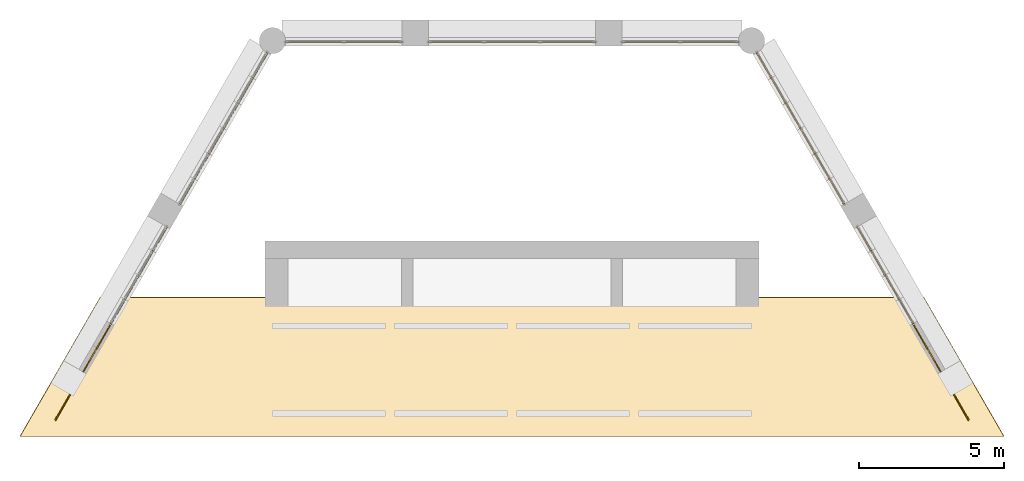
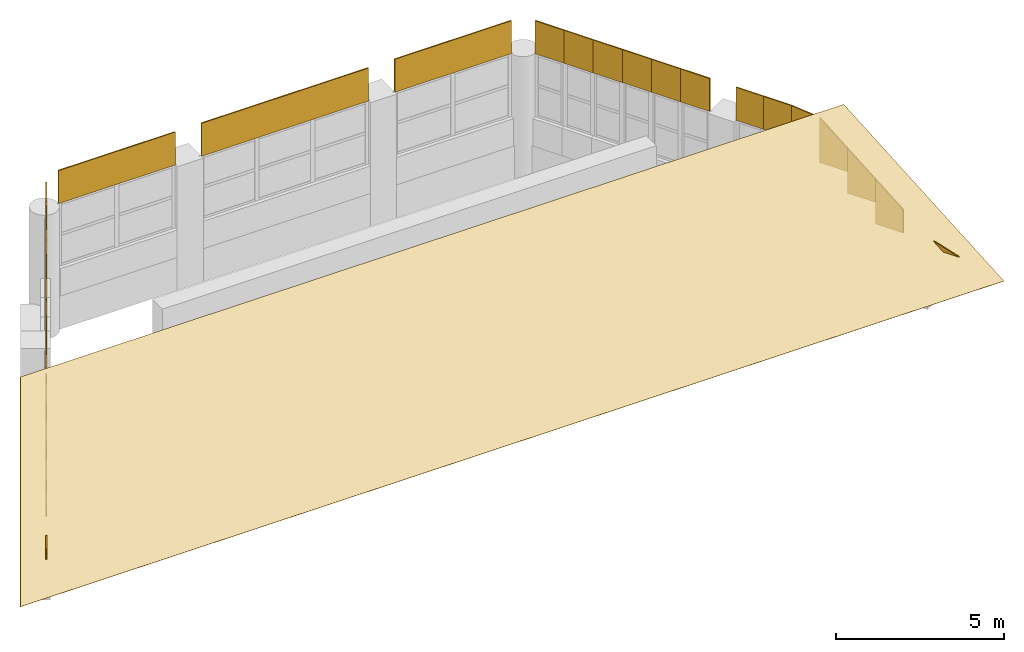
# One storey, part 11 of 11: 30 coverings.
"""IFC4 building model written with IfcOpenShell, lengths in metres."""

from ifc_helpers import new_model, si_unit, direction, frame, origin, place, context, subcontext, project, spatial, polyline, outline, extrude, material, layer, layer_set, type_object, element, save


model = new_model("IFC4")

# Units and contexts
model_context = context("Model", 3, precision=1e-05, world=origin(), true_north=direction((0.0, 1.0)))
body_context = subcontext(model_context, "Body", "Model", "MODEL_VIEW")
ifc_project = project(units=[si_unit("LENGTHUNIT", "METRE"), si_unit("AREAUNIT", "SQUARE_METRE"), si_unit("VOLUMEUNIT", "CUBIC_METRE"), si_unit("PLANEANGLEUNIT", "RADIAN"), si_unit("MASSUNIT", "GRAM", prefix="KILO")], contexts=[model_context])

# Site, building, storey
site_placement = place(None, origin())
site = spatial("IfcSite", under=ifc_project, at=site_placement, CompositionType="ELEMENT")
building_placement = place(site_placement, origin())
building = spatial("IfcBuilding", under=site, at=building_placement, Name="Ostrander Bayou Hotel Tower", CompositionType="ELEMENT")
storey_placement = place(building_placement, frame((0.0, 0.0, 293.0)))
storey = spatial("IfcBuildingStorey", under=building, at=storey_placement, Name="Roof 72", CompositionType="ELEMENT", Elevation=293.0)

# Coverings
ifc_material = material(Name="Reconstituted stone panels", Category="masonry")
ifc_layer = layer(ifc_material, 0.0400390625)
ifc_layer_set = layer_set([ifc_layer], Name="CV3 crown cladding 40 mm")
covering_type = type_object("IfcCoveringType", Name="CV3 crown cladding 40 mm", PredefinedType="CLADDING", material=ifc_layer_set)
covering_1_placement = place(storey_placement, frame((16.927978515625, 2.967041015625, 0.0400390625), z_axis=(0.0, -0.685643125886, 0.727937843449), x_axis=(-1.0, 0.0, 0.0)))
element("IfcCovering", 1, at=covering_1_placement, inside=storey, type_object=covering_type, Name="CV3 crown cladding L72", PredefinedType="CLADDING", context=body_context, shape_type="SweptSolid", body=[
    extrude(outline(polyline([(0.0, 0.0), (33.85595703125, 0.0), (31.097412109375, -6.563181092476927), (2.758544921875, -6.563181092476927), (0.0, 0.0)])), origin(), (0.0, 0.0, -1.0), 0.0400390625),
])
covering_2_placement = place(storey_placement, frame((7.7958984375, 16.550048828125, 3.300048828125), z_axis=(0.0, 1.0, 0.0), x_axis=(-1.0, 0.0, 0.0)))
element("IfcCovering", 2, at=covering_2_placement, inside=storey, type_object=covering_type, Name="CV3 crown fascia L72", PredefinedType="CLADDING", context=body_context, shape_type="SweptSolid", body=[
    extrude(outline(polyline([(0.0, 0.0), (4.0166015625, 0.0), (4.0166015625, 1.199951171875), (0.0, 1.199951171875), (0.0, 0.0)])), origin(), (0.0, 0.0, -1.0), 0.0400390625),
])
covering_3_placement = place(storey_placement, frame((2.87939453125, 16.550048828125, 3.300048828125), z_axis=(0.0, 1.0, 0.0), x_axis=(-1.0, 0.0, 0.0)))
element("IfcCovering", 3, at=covering_3_placement, inside=storey, type_object=covering_type, Name="CV3 crown fascia L72", PredefinedType="CLADDING", context=body_context, shape_type="SweptSolid", body=[
    extrude(outline(polyline([(0.0, 0.0), (5.7587890625, 0.0), (5.7587890625, 1.199951171875), (0.0, 1.199951171875), (0.0, 0.0)])), origin(), (0.0, 0.0, -1.0), 0.0400390625),
])
covering_4_placement = place(storey_placement, frame((-3.779296875, 16.550048828125, 3.300048828125), z_axis=(0.0, 1.0, 0.0), x_axis=(-1.0, 0.0, 0.0)))
element("IfcCovering", 4, at=covering_4_placement, inside=storey, type_object=covering_type, Name="CV3 crown fascia L72", PredefinedType="CLADDING", context=body_context, shape_type="SweptSolid", body=[
    extrude(outline(polyline([(0.0, 0.0), (4.0166015625, 0.0), (4.0166015625, 1.199951171875), (0.0, 1.199951171875), (0.0, 0.0)])), origin(), (0.0, 0.0, -1.0), 0.0400390625),
])
covering_5_placement = place(storey_placement, frame((-8.431884765625, 16.182373046875, 3.300048828125), z_axis=(-0.865942374699, 0.500143783026, 0.0), x_axis=(-0.500143783026, -0.865942374699, 0.0)))
element("IfcCovering", 5, at=covering_5_placement, inside=storey, type_object=covering_type, Name="CV3 crown fascia L72", PredefinedType="CLADDING", context=body_context, shape_type="SweptSolid", body=[
    extrude(outline(polyline([(0.0, 0.0), (1.0031295027587228, 0.0), (1.0031295027587228, 1.1999511718750002), (0.0, 1.1999511718750002), (0.0, 0.0)])), origin(), (0.0, 0.0, -1.0), 0.0400390625),
])
covering_6_placement = place(storey_placement, frame((-8.93359375, 15.313720703125, 3.300048828125), z_axis=(-0.8660032352, 0.500038395149, 0.0), x_axis=(-0.500038395149, -0.8660032352, 0.0)))
element("IfcCovering", 6, at=covering_6_placement, inside=storey, type_object=covering_type, Name="CV3 crown fascia L72", PredefinedType="CLADDING", context=body_context, shape_type="SweptSolid", body=[
    extrude(outline(polyline([(0.0, 0.0), (1.003340921901339, 0.0), (1.003340921901339, 1.199951171875), (0.0, 1.199951171875), (0.0, 0.0)])), origin(), (0.0, 0.0, -1.0), 0.0400390625),
])
covering_7_placement = place(storey_placement, frame((-9.435302734375, 14.44482421875, 3.300048828125), z_axis=(-0.866047774678, 0.499961250474, 0.0), x_axis=(-0.499961250474, -0.866047774678, 0.0)))
element("IfcCovering", 7, at=covering_7_placement, inside=storey, type_object=covering_type, Name="CV3 crown fascia L72", PredefinedType="CLADDING", context=body_context, shape_type="SweptSolid", body=[
    extrude(outline(polyline([(0.0, 0.0), (1.0030074196233945, 0.0), (1.0030074196233945, 1.199951171875), (0.0, 1.199951171875), (0.0, 0.0)])), origin(), (0.0, 0.0, -1.0), 0.0400390625),
])
covering_8_placement = place(storey_placement, frame((-9.936767578125, 13.576171875, 3.300048828125), z_axis=(-0.866108598161, 0.499855875421, 0.0), x_axis=(-0.499855875421, -0.866108598161, 0.0)))
element("IfcCovering", 8, at=covering_8_placement, inside=storey, type_object=covering_type, Name="CV3 crown fascia L72", PredefinedType="CLADDING", context=body_context, shape_type="SweptSolid", body=[
    extrude(outline(polyline([(0.0, 0.0), (1.0032188644939084, 0.0), (1.0032188644939084, 1.1999511718750002), (0.0, 1.1999511718750002), (0.0, 0.0)])), origin(), (0.0, 0.0, -1.0), 0.0400390625),
])
covering_9_placement = place(storey_placement, frame((-10.438232421875, 12.707275390625, 3.300048828125), z_axis=(-0.865942374699, 0.500143783026, 0.0), x_axis=(-0.500143783026, -0.865942374699, 0.0)))
element("IfcCovering", 9, at=covering_9_placement, inside=storey, type_object=covering_type, Name="CV3 crown fascia L72", PredefinedType="CLADDING", context=body_context, shape_type="SweptSolid", body=[
    extrude(outline(polyline([(0.0, 0.0), (1.0031295027587228, 0.0), (1.0031295027587228, 1.1999511718750002), (0.0, 1.1999511718750002), (0.0, 0.0)])), origin(), (0.0, 0.0, -1.0), 0.0400390625),
])
covering_10_placement = place(storey_placement, frame((-10.93994140625, 11.838623046875, 3.300048828125), z_axis=(-0.866108598161, 0.499855875421, 0.0), x_axis=(-0.499855875421, -0.866108598161, 0.0)))
element("IfcCovering", 10, at=covering_10_placement, inside=storey, type_object=covering_type, Name="CV3 crown fascia L72", PredefinedType="CLADDING", context=body_context, shape_type="SweptSolid", body=[
    extrude(outline(polyline([(0.0, 0.0), (1.0032188644939084, 0.0), (1.0032188644939084, 1.1999511718750002), (0.0, 1.1999511718750002), (0.0, 0.0)])), origin(), (0.0, 0.0, -1.0), 0.0400390625),
])
covering_11_placement = place(storey_placement, frame((-11.8916015625, 10.1904296875, 3.300048828125), z_axis=(-0.866122057702, 0.499832553123, 0.0), x_axis=(-0.499832553123, -0.866122057702, 0.0)))
element("IfcCovering", 11, at=covering_11_placement, inside=storey, type_object=covering_type, Name="CV3 crown fascia L72", PredefinedType="CLADDING", context=body_context, shape_type="SweptSolid", body=[
    extrude(outline(polyline([(0.0, 0.0), (0.9597940852937448, 0.0), (0.9597940852937448, 1.199951171875), (0.0, 1.199951171875), (0.0, 0.0)])), origin(), (0.0, 0.0, -1.0), 0.0400390625),
])
covering_12_placement = place(storey_placement, frame((-12.371337890625, 9.359130859375, 3.300048828125), z_axis=(-0.865948320045, 0.500133489192, 0.0), x_axis=(-0.500133489192, -0.865948320045, 0.0)))
element("IfcCovering", 12, at=covering_12_placement, inside=storey, type_object=covering_type, Name="CV3 crown fascia L72", PredefinedType="CLADDING", context=body_context, shape_type="SweptSolid", body=[
    extrude(outline(polyline([(0.0, 0.0), (0.9597047170860381, 0.0), (0.9597047170860381, 1.199951171875), (0.0, 1.199951171875), (0.0, 0.0)])), origin(), (0.0, 0.0, -1.0), 0.0400390625),
])
covering_13_placement = place(storey_placement, frame((-12.851318359375, 8.528076171875, 3.300048828125), z_axis=(-0.866011930837, 0.500023335103, 0.0), x_axis=(-0.500023335103, -0.866011930837, 0.0)))
element("IfcCovering", 13, at=covering_13_placement, inside=storey, type_object=covering_type, Name="CV3 crown fascia L72", PredefinedType="CLADDING", context=body_context, shape_type="SweptSolid", body=[
    extrude(outline(polyline([(0.0, 0.0), (0.9599161380159561, 0.0), (0.9599161380159561, 1.1047363281249998), (0.0, 1.1999511718749998), (0.0, 0.0)])), origin(), (0.0, 0.0, -1.0), 0.0400390625),
])
covering_14_placement = place(storey_placement, frame((-13.331298828125, 7.69677734375, 2.77197265625), z_axis=(-0.866122057702, 0.499832553123, 0.0), x_axis=(-0.499832553123, -0.866122057702, 0.0)))
element("IfcCovering", 14, at=covering_14_placement, inside=storey, type_object=covering_type, Name="CV3 crown fascia L72", PredefinedType="CLADDING", context=body_context, shape_type="SweptSolid", body=[
    extrude(outline(polyline([(0.0, 0.0), (0.9597940852937448, 0.0), (0.9597940852937448, 0.849853515625), (0.0, 1.6328125), (0.0, 0.0)])), origin(), (0.0, 0.0, -1.0), 0.0400390625),
])
covering_15_placement = place(storey_placement, frame((-13.81103515625, 6.865478515625, 1.989013671875), z_axis=(-0.866011930837, 0.500023335103, 0.0), x_axis=(-0.500023335103, -0.866011930837, 0.0)))
element("IfcCovering", 15, at=covering_15_placement, inside=storey, type_object=covering_type, Name="CV3 crown fascia L72", PredefinedType="CLADDING", context=body_context, shape_type="SweptSolid", body=[
    extrude(outline(polyline([(0.0, 0.0), (0.9599161380159561, 0.0), (0.9599161380159561, 0.8500976562499999), (0.0, 1.6328124999999998), (0.0, 0.0)])), origin(), (0.0, 0.0, -1.0), 0.0400390625),
])
covering_16_placement = place(storey_placement, frame((-14.291015625, 6.0341796875, 1.2060546875), z_axis=(-0.865948320045, 0.500133489192, 0.0), x_axis=(-0.500133489192, -0.865948320045, 0.0)))
element("IfcCovering", 16, at=covering_16_placement, inside=storey, type_object=covering_type, Name="CV3 crown fascia L72", PredefinedType="CLADDING", context=body_context, shape_type="SweptSolid", body=[
    extrude(outline(polyline([(0.0, 0.0), (0.9597047170860381, 0.0), (0.9597047170860381, 0.85009765625), (0.0, 1.633056640625), (0.0, 0.0)])), origin(), (0.0, 0.0, -1.0), 0.0400390625),
])
covering_17_placement = place(storey_placement, frame((-15.220947265625, 4.423583984375, 1.0), z_axis=(-0.865998494583, 0.500046605208, 0.0), x_axis=(-0.500046605208, -0.865998494583, 0.0)))
element("IfcCovering", 17, at=covering_17_placement, inside=storey, type_object=covering_type, Name="CV3 crown fascia L72", PredefinedType="CLADDING", context=body_context, shape_type="SweptSolid", body=[
    extrude(outline(polyline([(0.0, 0.0), (1.0213891708909189, 0.0), (0.0, 0.32202148437500006), (0.0, 0.0)])), origin(), (0.0, 0.0, -1.0), 0.0400390625),
])
covering_18_placement = place(storey_placement, frame((15.731689453125, 3.5390625, 1.0), z_axis=(0.865998494583, 0.500046605208, 0.0), x_axis=(-0.500046605208, 0.865998494583, 0.0)))
element("IfcCovering", 18, at=covering_18_placement, inside=storey, type_object=covering_type, Name="CV3 crown fascia L72", PredefinedType="CLADDING", context=body_context, shape_type="SweptSolid", body=[
    extrude(outline(polyline([(0.0, 0.0), (1.0213891708909189, 0.0), (1.0213891708909189, 0.32202148437500006), (0.0, 0.0), (0.0, 0.0)])), origin(), (0.0, 0.0, -1.0), 0.0400390625),
])
covering_19_placement = place(storey_placement, frame((14.77099609375, 5.203125, 1.2060546875), z_axis=(0.865948320045, 0.500133489192, 0.0), x_axis=(-0.500133489192, 0.865948320045, 0.0)))
element("IfcCovering", 19, at=covering_19_placement, inside=storey, type_object=covering_type, Name="CV3 crown fascia L72", PredefinedType="CLADDING", context=body_context, shape_type="SweptSolid", body=[
    extrude(outline(polyline([(0.0, 0.0), (0.9597047170860381, 0.0), (0.9597047170860381, 1.633056640625), (0.0, 0.85009765625), (0.0, 0.0)])), origin(), (0.0, 0.0, -1.0), 0.0400390625),
])
covering_20_placement = place(storey_placement, frame((14.291015625, 6.0341796875, 1.989013671875), z_axis=(0.866011930837, 0.500023335103, 0.0), x_axis=(-0.500023335103, 0.866011930837, 0.0)))
element("IfcCovering", 20, at=covering_20_placement, inside=storey, type_object=covering_type, Name="CV3 crown fascia L72", PredefinedType="CLADDING", context=body_context, shape_type="SweptSolid", body=[
    extrude(outline(polyline([(0.0, 0.0), (0.9599161380159561, 0.0), (0.9599161380159561, 1.6328124999999998), (0.0, 0.8500976562499999), (0.0, 0.0)])), origin(), (0.0, 0.0, -1.0), 0.0400390625),
])
covering_21_placement = place(storey_placement, frame((13.81103515625, 6.865478515625, 2.77197265625), z_axis=(0.866122057702, 0.499832553123, 0.0), x_axis=(-0.499832553123, 0.866122057702, 0.0)))
element("IfcCovering", 21, at=covering_21_placement, inside=storey, type_object=covering_type, Name="CV3 crown fascia L72", PredefinedType="CLADDING", context=body_context, shape_type="SweptSolid", body=[
    extrude(outline(polyline([(0.0, 0.0), (0.9597940852937448, 0.0), (0.9597940852937448, 1.6328125), (0.0, 0.849853515625), (0.0, 0.0)])), origin(), (0.0, 0.0, -1.0), 0.0400390625),
])
covering_22_placement = place(storey_placement, frame((13.331298828125, 7.69677734375, 3.300048828125), z_axis=(0.866011930837, 0.500023335103, 0.0), x_axis=(-0.500023335103, 0.866011930837, 0.0)))
element("IfcCovering", 22, at=covering_22_placement, inside=storey, type_object=covering_type, Name="CV3 crown fascia L72", PredefinedType="CLADDING", context=body_context, shape_type="SweptSolid", body=[
    extrude(outline(polyline([(0.0, 0.0), (0.9599161380159561, 0.0), (0.9599161380159561, 1.1999511718749998), (0.0, 1.1047363281249998), (0.0, 0.0)])), origin(), (0.0, 0.0, -1.0), 0.0400390625),
])
covering_23_placement = place(storey_placement, frame((12.851318359375, 8.528076171875, 3.300048828125), z_axis=(0.865948320045, 0.500133489192, 0.0), x_axis=(-0.500133489192, 0.865948320045, 0.0)))
element("IfcCovering", 23, at=covering_23_placement, inside=storey, type_object=covering_type, Name="CV3 crown fascia L72", PredefinedType="CLADDING", context=body_context, shape_type="SweptSolid", body=[
    extrude(outline(polyline([(0.0, 0.0), (0.9597047170860381, 0.0), (0.9597047170860381, 1.199951171875), (0.0, 1.199951171875), (0.0, 0.0)])), origin(), (0.0, 0.0, -1.0), 0.0400390625),
])
covering_24_placement = place(storey_placement, frame((12.371337890625, 9.359130859375, 3.300048828125), z_axis=(0.866122057702, 0.499832553123, 0.0), x_axis=(-0.499832553123, 0.866122057702, 0.0)))
element("IfcCovering", 24, at=covering_24_placement, inside=storey, type_object=covering_type, Name="CV3 crown fascia L72", PredefinedType="CLADDING", context=body_context, shape_type="SweptSolid", body=[
    extrude(outline(polyline([(0.0, 0.0), (0.9597940852937448, 0.0), (0.9597940852937448, 1.199951171875), (0.0, 1.199951171875), (0.0, 0.0)])), origin(), (0.0, 0.0, -1.0), 0.0400390625),
])
covering_25_placement = place(storey_placement, frame((11.44140625, 10.9697265625, 3.300048828125), z_axis=(0.866108598161, 0.499855875421, 0.0), x_axis=(-0.499855875421, 0.866108598161, 0.0)))
element("IfcCovering", 25, at=covering_25_placement, inside=storey, type_object=covering_type, Name="CV3 crown fascia L72", PredefinedType="CLADDING", context=body_context, shape_type="SweptSolid", body=[
    extrude(outline(polyline([(0.0, 0.0), (1.0032188644939084, 0.0), (1.0032188644939084, 1.1999511718750002), (0.0, 1.1999511718750002), (0.0, 0.0)])), origin(), (0.0, 0.0, -1.0), 0.0400390625),
])
covering_26_placement = place(storey_placement, frame((10.93994140625, 11.838623046875, 3.300048828125), z_axis=(0.865942374699, 0.500143783026, 0.0), x_axis=(-0.500143783026, 0.865942374699, 0.0)))
element("IfcCovering", 26, at=covering_26_placement, inside=storey, type_object=covering_type, Name="CV3 crown fascia L72", PredefinedType="CLADDING", context=body_context, shape_type="SweptSolid", body=[
    extrude(outline(polyline([(0.0, 0.0), (1.0031295027587228, 0.0), (1.0031295027587228, 1.1999511718750002), (0.0, 1.1999511718750002), (0.0, 0.0)])), origin(), (0.0, 0.0, -1.0), 0.0400390625),
])
covering_27_placement = place(storey_placement, frame((10.438232421875, 12.707275390625, 3.300048828125), z_axis=(0.866108598161, 0.499855875421, 0.0), x_axis=(-0.499855875421, 0.866108598161, 0.0)))
element("IfcCovering", 27, at=covering_27_placement, inside=storey, type_object=covering_type, Name="CV3 crown fascia L72", PredefinedType="CLADDING", context=body_context, shape_type="SweptSolid", body=[
    extrude(outline(polyline([(0.0, 0.0), (1.0032188644939084, 0.0), (1.0032188644939084, 1.1999511718750002), (0.0, 1.1999511718750002), (0.0, 0.0)])), origin(), (0.0, 0.0, -1.0), 0.0400390625),
])
covering_28_placement = place(storey_placement, frame((9.936767578125, 13.576171875, 3.300048828125), z_axis=(0.866047774678, 0.499961250474, 0.0), x_axis=(-0.499961250474, 0.866047774678, 0.0)))
element("IfcCovering", 28, at=covering_28_placement, inside=storey, type_object=covering_type, Name="CV3 crown fascia L72", PredefinedType="CLADDING", context=body_context, shape_type="SweptSolid", body=[
    extrude(outline(polyline([(0.0, 0.0), (1.0030074196233945, 0.0), (1.0030074196233945, 1.199951171875), (0.0, 1.199951171875), (0.0, 0.0)])), origin(), (0.0, 0.0, -1.0), 0.0400390625),
])
covering_29_placement = place(storey_placement, frame((9.435302734375, 14.44482421875, 3.300048828125), z_axis=(0.8660032352, 0.500038395149, 0.0), x_axis=(-0.500038395149, 0.8660032352, 0.0)))
element("IfcCovering", 29, at=covering_29_placement, inside=storey, type_object=covering_type, Name="CV3 crown fascia L72", PredefinedType="CLADDING", context=body_context, shape_type="SweptSolid", body=[
    extrude(outline(polyline([(0.0, 0.0), (1.003340921901339, 0.0), (1.003340921901339, 1.199951171875), (0.0, 1.199951171875), (0.0, 0.0)])), origin(), (0.0, 0.0, -1.0), 0.0400390625),
])
covering_30_placement = place(storey_placement, frame((8.93359375, 15.313720703125, 3.300048828125), z_axis=(0.865942374699, 0.500143783026, 0.0), x_axis=(-0.500143783026, 0.865942374699, 0.0)))
element("IfcCovering", 30, at=covering_30_placement, inside=storey, type_object=covering_type, Name="CV3 crown fascia L72", PredefinedType="CLADDING", context=body_context, shape_type="SweptSolid", body=[
    extrude(outline(polyline([(0.0, 0.0), (1.0031295027587228, 0.0), (1.0031295027587228, 1.1999511718750002), (0.0, 1.1999511718750002), (0.0, 0.0)])), origin(), (0.0, 0.0, -1.0), 0.0400390625),
])

save(model, "model.ifc")
